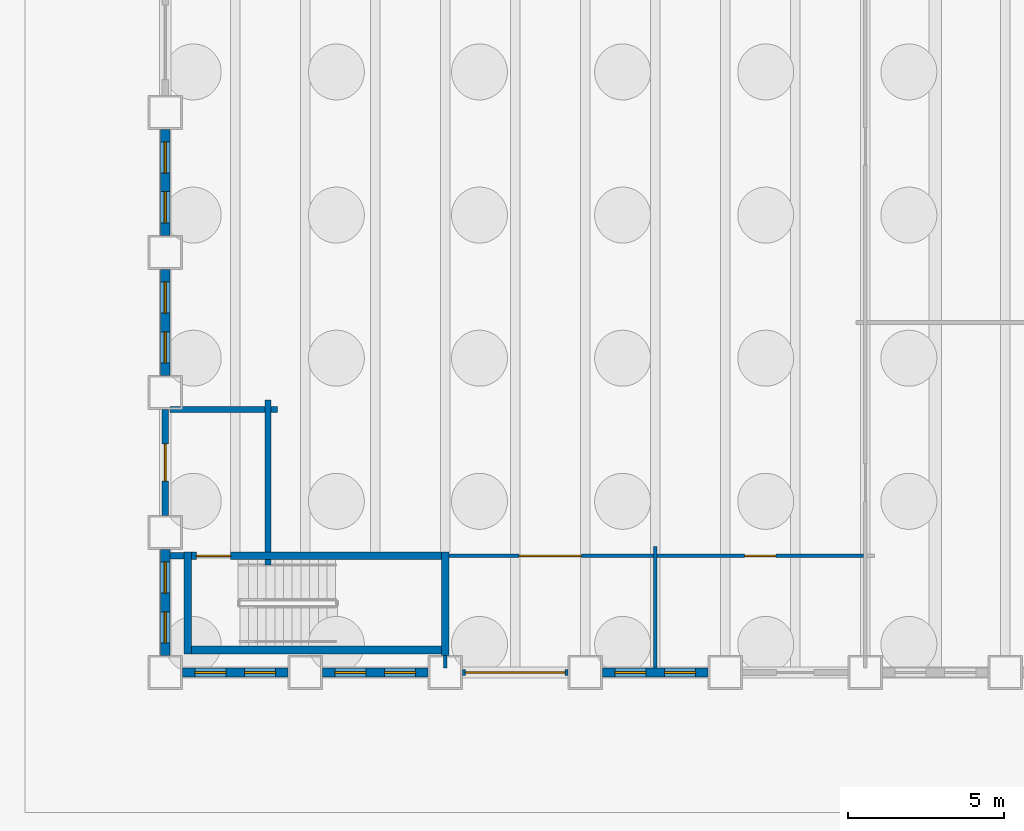
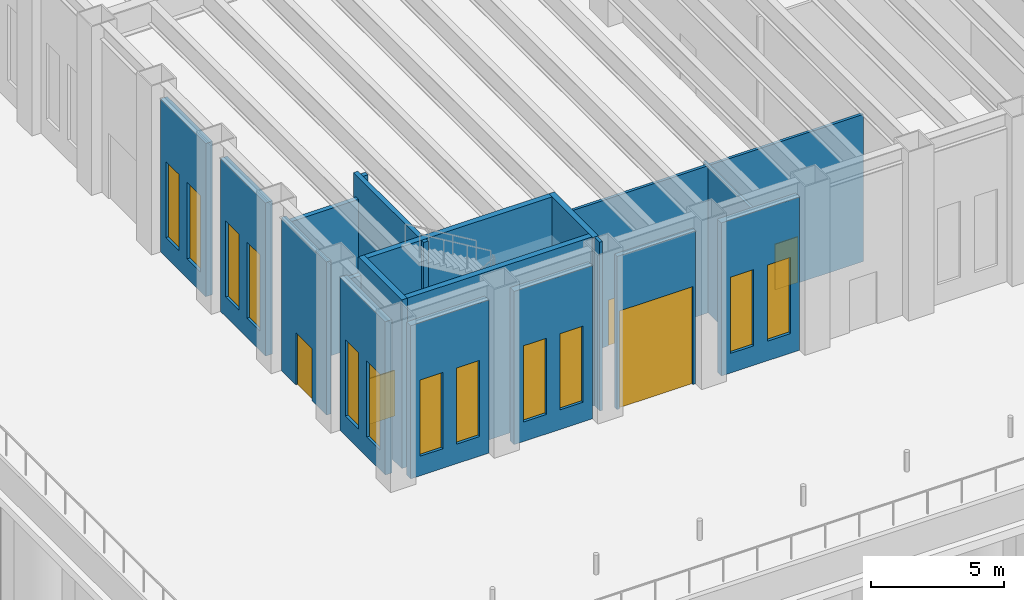
# One storey, part 6 of 26: 21 walls, 12 windows, 5 doors, 17 openings.
"""IFC4 building model written with IfcOpenShell, lengths in metres."""

import ifcopenshell
import ifcopenshell.guid

model = None  # the IFC model being written
_history = None  # IfcOwnerHistory: only IFC2X3 demands one
_inside = {}  # id of a spatial element -> (the spatial element, [elements in it])
_under = {}  # id of a project, library or spatial element -> (it, [spatial elements below it])
_declared = {}  # id of a project -> (the project, [libraries it declares])
_typed = {}  # id of a type object -> (the type object, [elements of that type])
_made_of = {}  # id of a material, layer set ... -> (it, [elements and type objects made of it])


def new_model(schema):
    """Start an empty IFC model of exactly this schema.

    Asked for "IFC4X3", IfcOpenShell would pick the latest addendum, in which some entities
    have other attributes; the version numbers below select the first issue.
    IFC2X3 requires an IfcOwnerHistory on every rooted entity: one is made here for all.
    """
    global model, _history
    if schema == "IFC4X3":
        model = ifcopenshell.file(schema_version=(4, 3, 0, 0))
    else:
        model = ifcopenshell.file(schema=schema)
    _inside.clear()
    _under.clear()
    _declared.clear()
    _typed.clear()
    _made_of.clear()
    _history = None
    if model.schema == "IFC2X3":
        org = make("IfcOrganization", Name="unknown")
        user = make(
            "IfcPersonAndOrganization",
            ThePerson=make("IfcPerson", FamilyName="unknown"),
            TheOrganization=org,
        )
        app = make(
            "IfcApplication",
            ApplicationDeveloper=org,
            Version="unknown",
            ApplicationFullName="unknown",
            ApplicationIdentifier="unknown",
        )
        _history = make(
            "IfcOwnerHistory",
            OwningUser=user,
            OwningApplication=app,
            ChangeAction="ADDED",
            CreationDate=0,
        )
    return model


def make(cls, **values):
    """One entity of the class cls with the attributes given. An attribute that is None is left unset."""
    return model.create_entity(
        cls, **{name: value for name, value in values.items() if value is not None}
    )


def rooted(cls, **values):
    """An entity with a GlobalId (a new one), such as an element, a storey or a relation."""
    return make(cls, GlobalId=ifcopenshell.guid.new(), OwnerHistory=_history, **values)


def si_unit(unit_type, name, prefix=None):
    """IfcSIUnit, for example si_unit("LENGTHUNIT", "METRE", prefix="MILLI")."""
    return make("IfcSIUnit", UnitType=unit_type, Prefix=prefix, Name=name)


def assignment(units):
    """IfcUnitAssignment: the units of a project."""
    return None if units is None else make("IfcUnitAssignment", Units=units)


def point(xyz):
    """IfcCartesianPoint."""
    return None if xyz is None else make("IfcCartesianPoint", Coordinates=xyz)


def direction(xyz):
    """IfcDirection."""
    return None if xyz is None else make("IfcDirection", DirectionRatios=xyz)


def frame(location, z_axis=None, x_axis=None):
    """IfcAxis2Placement3D, a coordinate frame: its origin and axes. An axis left out is left unset."""
    return make(
        "IfcAxis2Placement3D",
        Location=point(location),
        Axis=direction(z_axis),
        RefDirection=direction(x_axis),
    )


def frame_2d(location, x_axis=None):
    """IfcAxis2Placement2D, a coordinate frame in the plane: its origin and x axis."""
    return make(
        "IfcAxis2Placement2D", Location=point(location), RefDirection=direction(x_axis)
    )


def origin():
    """The frame at (0, 0, 0) with its axes left unset."""
    return frame((0.0, 0.0, 0.0))


def place(relative_to, where):
    """IfcLocalPlacement: puts the frame where relative to a parent placement (None: the world)."""
    return make(
        "IfcLocalPlacement", PlacementRelTo=relative_to, RelativePlacement=where
    )


def context(
    kind, dimensions, precision=None, world=None, true_north=None, identifier=None
):
    """IfcGeometricRepresentationContext, for example the 3D "Model" context."""
    return make(
        "IfcGeometricRepresentationContext",
        ContextIdentifier=identifier,
        ContextType=kind,
        CoordinateSpaceDimension=dimensions,
        Precision=precision,
        WorldCoordinateSystem=world,
        TrueNorth=true_north,
    )


def subcontext(parent, identifier, kind, view, scale=None):
    """IfcGeometricRepresentationSubContext, for example "Body" below "Model"."""
    return make(
        "IfcGeometricRepresentationSubContext",
        ContextIdentifier=identifier,
        ContextType=kind,
        ParentContext=parent,
        TargetScale=scale,
        TargetView=view,
    )


def project(units=None, contexts=None):
    """IfcProject with its units and contexts."""
    return rooted(
        "IfcProject",
        Name="project",
        RepresentationContexts=contexts,
        UnitsInContext=assignment(units),
    )


def spatial(cls, under=None, at=None, **own):
    """A site, building, storey or space (cls), placed at a placement, below another one or the project."""
    s = rooted(cls, ObjectPlacement=at, **own)
    if under is not None:
        _under.setdefault(under.id(), (under, []))[1].append(s)
    return s


def profile(cls, at=None, kind="AREA", **sizes):
    """A parametric profile (cls). Its sizes go by their IFC names, for example OverallWidth=200.0."""
    return make(cls, ProfileType=kind, Position=at, **sizes)


def rectangle(**sizes):
    """IfcRectangleProfileDef."""
    return profile("IfcRectangleProfileDef", **sizes)


def extrude(swept, where, along, depth):
    """IfcExtrudedAreaSolid: the profile swept, set in the frame where, extruded along a direction by depth."""
    return make(
        "IfcExtrudedAreaSolid",
        SweptArea=swept,
        Position=where,
        ExtrudedDirection=direction(along),
        Depth=depth,
    )


def shape(context_of_items, identifier, shape_type, items):
    """IfcShapeRepresentation: the items that make up one representation, for example the "Body"."""
    return make(
        "IfcShapeRepresentation",
        ContextOfItems=context_of_items,
        RepresentationIdentifier=identifier,
        RepresentationType=shape_type,
        Items=items,
    )


def material(Name=None, Category=None):
    """IfcMaterial."""
    return make("IfcMaterial", Name=Name, Category=Category)


def layer(
    of_material, thickness, ventilated=None, Name=None, Category=None, Priority=None
):
    """IfcMaterialLayer: one layer of a wall or slab, of a material (None: an air gap)."""
    return make(
        "IfcMaterialLayer",
        Material=of_material,
        LayerThickness=thickness,
        IsVentilated=ventilated,
        Name=Name,
        Category=Category,
        Priority=Priority,
    )


def layer_set(layers, Name=None):
    """IfcMaterialLayerSet."""
    return make("IfcMaterialLayerSet", MaterialLayers=layers, LayerSetName=Name)


def made_of(thing, what):
    """Note that an element or type object is made of a material, layer set ...; save() writes the relation."""
    if what is not None:
        _made_of.setdefault(what.id(), (what, []))[1].append(thing)
    return thing


def type_object(cls, material=None, **own):
    """A type object (cls), such as IfcWallType, which elements share."""
    return made_of(rooted(cls, **own), material)


def element(
    cls,
    number,
    at=None,
    inside=None,
    cuts=None,
    type_object=None,
    material=None,
    context=None,
    identifier="Body",
    shape_type=None,
    held_by="IfcProductDefinitionShape",
    body=None,
    shapes=None,
    **own,
):
    """One element of the class cls, such as IfcWall. Its Tag is "e" and its number.

    at: its placement. inside: the storey or other place that contains it. cuts: it is an
    opening in that element (IfcRelVoidsElement). A single representation is given by context,
    identifier, shape_type and body (its items); several are given by shapes. held_by: the class
    of the entity that holds the representations. save() writes the other relations.
    """
    e = rooted(cls, Tag="e%d" % number, ObjectPlacement=at, **own)
    if body is not None:
        shapes = [shape(context, identifier, shape_type, body)]
    if shapes is not None:
        e.Representation = make(held_by, Representations=shapes)
    if inside is not None:
        _inside.setdefault(inside.id(), (inside, []))[1].append(e)
    if cuts is not None:
        rooted(
            "IfcRelVoidsElement", RelatingBuildingElement=cuts, RelatedOpeningElement=e
        )
    if type_object is not None:
        _typed.setdefault(type_object.id(), (type_object, []))[1].append(e)
    return made_of(e, material)


def fill(opening, filler):
    """IfcRelFillsElement: the door or window that sits in an opening."""
    return rooted(
        "IfcRelFillsElement",
        RelatingOpeningElement=opening,
        RelatedBuildingElement=filler,
    )


def aggregate(whole, parts):
    """IfcRelAggregates: a whole, such as a stair, and the parts it consists of."""
    return rooted("IfcRelAggregates", RelatingObject=whole, RelatedObjects=parts)


def save(model, path):
    """Write the relations noted so far, then the file.

    IfcRelAggregates (storeys below a building ...), IfcRelContainedInSpatialStructure (elements
    in a storey), IfcRelDefinesByType, IfcRelAssociatesMaterial and IfcRelDeclares: one each for
    every whole, place, type object, material and project.
    """
    for whole, parts in _under.values():
        aggregate(whole, parts)
    for where, things in _inside.values():
        rooted(
            "IfcRelContainedInSpatialStructure",
            RelatedElements=things,
            RelatingStructure=where,
        )
    for kind, things in _typed.values():
        rooted("IfcRelDefinesByType", RelatedObjects=things, RelatingType=kind)
    for what, things in _made_of.values():
        rooted("IfcRelAssociatesMaterial", RelatedObjects=things, RelatingMaterial=what)
    for by, libraries in _declared.values():
        rooted("IfcRelDeclares", RelatingContext=by, RelatedDefinitions=libraries)
    model.write(path)


model = new_model("IFC4")

# Units and contexts
model_context = context("Model", 3, precision=1e-05, world=origin(), true_north=direction((0.0, 1.0)))
body_context = subcontext(model_context, "Body", "Model", "MODEL_VIEW")
ifc_project = project(units=[si_unit("LENGTHUNIT", "METRE"), si_unit("AREAUNIT", "SQUARE_METRE"), si_unit("VOLUMEUNIT", "CUBIC_METRE"), si_unit("PLANEANGLEUNIT", "RADIAN"), si_unit("MASSUNIT", "GRAM", prefix="KILO")], contexts=[model_context])

# Site, building, storey
site_placement = place(None, origin())
site = spatial("IfcSite", under=ifc_project, at=site_placement, CompositionType="ELEMENT")
building_placement = place(site_placement, origin())
building = spatial("IfcBuilding", under=site, at=building_placement, Name="Sennacour Bend Tower", CompositionType="ELEMENT")
storey_placement = place(building_placement, origin())
storey = spatial("IfcBuildingStorey", under=building, at=storey_placement, Name="L00", CompositionType="ELEMENT", Elevation=0.0)

# Wall, opening, door
ifc_material_1 = material(Name="Bronze anodised aluminium panel", Category="aluminium")
ifc_layer_1 = layer(ifc_material_1, 0.030029296875, Name="Bronze anodised aluminium panel", Category="aluminium")
ifc_material_2 = material(Name="Precast concrete C40/50", Category="concrete")
ifc_layer_2 = layer(ifc_material_2, 0.169921875, Name="Precast concrete C40/50", Category="concrete")
ifc_layer_set_1 = layer_set([ifc_layer_1, ifc_layer_2], Name="Precast concrete C40/50 with bronze aluminium panel")
wall_type_1 = type_object("IfcWallType", Name="ALUMINIUM-CLAD INFILL WALL 200", PredefinedType="STANDARD", material=ifc_layer_set_1)
wall_1_placement = place(storey_placement, frame((0.0, 5.050048828125, 0.0), z_axis=(0.0, 0.0, 1.0), x_axis=(0.0, 1.0, 0.0)))
wall_1 = element("IfcWall", 1, at=wall_1_placement, inside=storey, type_object=wall_type_1, Name="Infill wall L00 02.06", PredefinedType="STANDARD", context=body_context, shape_type="SweptSolid", body=[
    extrude(rectangle(XDim=3.39990234375, YDim=0.199951171875, at=frame_2d((1.699951171875, 0.0))), origin(), (0.0, 0.0, 1.0), 7.035888671875),
])
opening_1_placement = place(wall_1_placement, frame((1.10009765625, 0.0, 0.0)))
opening_1 = element("IfcOpeningElement", 2, at=opening_1_placement, cuts=wall_1, Name="Opening ED2", PredefinedType="OPENING", context=body_context, shape_type="SweptSolid", body=[
    extrude(rectangle(XDim=1.199951171875, YDim=2.39990234375, at=frame_2d((0.60009765625, 1.199951171875))), frame((0.0, 0.10986328125, 0.0), z_axis=(0.0, -1.0, 0.0), x_axis=(1.0, 0.0, 0.0)), (0.0, 0.0, 1.0), 0.219970703125),
])
ifc_material_3 = material(Name="Steel door leaf", Category="steel")
door_type_1 = type_object("IfcDoorType", Name="DR-SERVICE-1200x2400", OperationType="SINGLE_SWING_RIGHT", PredefinedType="DOOR", material=ifc_material_3)
door_1_placement = place(opening_1_placement, origin())
door_1 = element("IfcDoor", 3, at=door_1_placement, inside=storey, type_object=door_type_1, Name="Exterior door L00 02.06", OperationType="SINGLE_SWING_RIGHT", OverallHeight=2.39990234375, OverallWidth=1.199951171875, PredefinedType="DOOR", context=body_context, shape_type="SweptSolid", body=[
    extrude(rectangle(XDim=1.199951171875, YDim=2.39990234375, at=frame_2d((0.60009765625, 1.199951171875))), frame((0.0, 0.02490234375, 0.0), z_axis=(0.0, -1.0, 0.0), x_axis=(1.0, 0.0, 0.0)), (0.0, 0.0, 1.0), 0.050048828125),
])
fill(opening_1, door_1)

wall_2_placement = place(storey_placement, frame((12.949951171875, 0.0, 0.0), z_axis=(0.0, 0.0, 1.0), x_axis=(-1.0, 0.0, 0.0)))
wall_2 = element("IfcWall", 4, at=wall_2_placement, inside=storey, type_object=wall_type_1, Name="Infill wall L00 03.02", PredefinedType="STANDARD", context=body_context, shape_type="SweptSolid", body=[
    extrude(rectangle(XDim=3.39990234375, YDim=0.199951171875, at=frame_2d((1.699951171875, 0.0))), origin(), (0.0, 0.0, 1.0), 7.035888671875),
])
opening_2_placement = place(wall_2_placement, frame((0.10009765625, 0.0, 0.0)))
opening_2 = element("IfcOpeningElement", 5, at=opening_2_placement, cuts=wall_2, Name="Opening ED3", PredefinedType="OPENING", context=body_context, shape_type="SweptSolid", body=[
    extrude(rectangle(XDim=3.199951171875, YDim=4.5, at=frame_2d((1.60009765625, 2.25))), frame((0.0, 0.10986328125, 0.0), z_axis=(0.0, -1.0, 0.0), x_axis=(1.0, 0.0, 0.0)), (0.0, 0.0, 1.0), 0.219970703125),
])
ifc_material_4 = material(Name="Roller shutter in bronze anodised aluminium", Category="aluminium")
door_type_2 = type_object("IfcDoorType", Name="DR-LOADING-3200x4500", OperationType="ROLLINGUP", PredefinedType="GATE", material=ifc_material_4)
door_2_placement = place(opening_2_placement, origin())
door_2 = element("IfcDoor", 6, at=door_2_placement, inside=storey, type_object=door_type_2, Name="Exterior door L00 03.02", OperationType="ROLLINGUP", OverallHeight=4.5, OverallWidth=3.199951171875, PredefinedType="GATE", context=body_context, shape_type="SweptSolid", body=[
    extrude(rectangle(XDim=3.199951171875, YDim=4.5, at=frame_2d((1.60009765625, 2.25))), frame((0.0, 0.02490234375, 0.0), z_axis=(0.0, -1.0, 0.0), x_axis=(1.0, 0.0, 0.0)), (0.0, 0.0, 1.0), 0.050048828125),
])
fill(opening_2, door_2)

# Walls
ifc_material_5 = material(Name="Plasterboard partition on steel studs", Category="steel")
ifc_layer_3 = layer(ifc_material_5, 0.1201171875, Name="Plasterboard partition on steel studs", Category="steel")
ifc_layer_set_2 = layer_set([ifc_layer_3], Name="Plasterboard partition on steel studs")
wall_type_2 = type_object("IfcWallType", Name="Partition 120", PredefinedType="PARTITIONING", material=ifc_layer_set_2)
wall_3_placement = place(storey_placement, frame((9.0, 0.14990234375, 0.0), z_axis=(0.0, 0.0, 1.0), x_axis=(0.0, 1.0, 0.0)))
element("IfcWall", 7, at=wall_3_placement, inside=storey, type_object=wall_type_2, Name="P-L00-W009a", PredefinedType="PARTITIONING", context=body_context, shape_type="SweptSolid", body=[
    extrude(rectangle(XDim=0.400146484375, YDim=0.1201171875, at=frame_2d((0.2001953125, 0.0))), origin(), (0.0, 0.0, 1.0), 7.75),
])
wall_4_placement = place(storey_placement, frame((15.75, 0.14990234375, 0.0), z_axis=(0.0, 0.0, 1.0), x_axis=(0.0, 1.0, 0.0)))
element("IfcWall", 8, at=wall_4_placement, inside=storey, type_object=wall_type_2, Name="P-L00-W016a", PredefinedType="PARTITIONING", context=body_context, shape_type="SweptSolid", body=[
    extrude(rectangle(XDim=3.900146484375, YDim=0.1201171875, at=frame_2d((1.9501953125, 0.0))), origin(), (0.0, 0.0, 1.0), 6.7587890625),
])

# Wall, opening, door
ifc_layer_4 = layer(ifc_material_5, 0.1201171875, Name="Plasterboard partition on steel studs", Category="steel")
ifc_layer_set_3 = layer_set([ifc_layer_4], Name="Plasterboard partition on steel studs")
wall_type_3 = type_object("IfcWallType", Name="Partition 120 EI 60", PredefinedType="PARTITIONING", material=ifc_layer_set_3)
wall_5_placement = place(storey_placement, frame((9.125, 3.75, 0.0), z_axis=(0.0, 0.0, 1.0), x_axis=(1.0, 0.0, 0.0)))
wall_5 = element("IfcWall", 9, at=wall_5_placement, inside=storey, type_object=wall_type_3, Name="P-L00-W051aa", PredefinedType="PARTITIONING", context=body_context, shape_type="SweptSolid", body=[
    extrude(rectangle(XDim=6.56494140625, YDim=0.1201171875, at=frame_2d((3.282470703125, 0.0))), origin(), (0.0, 0.0, 1.0), 6.7587890625),
])
opening_3_placement = place(wall_5_placement, frame((2.25, 0.0, 0.0)))
opening_3 = element("IfcOpeningElement", 10, at=opening_3_placement, cuts=wall_5, Name="Opening SV3", PredefinedType="OPENING", context=body_context, shape_type="SweptSolid", body=[
    extrude(rectangle(XDim=2.0, YDim=2.10009765625, at=frame_2d((1.0, 1.050048828125))), frame((0.0, 0.070068359375, 0.0), z_axis=(0.0, -1.0, 0.0), x_axis=(1.0, 0.0, 0.0)), (0.0, 0.0, 1.0), 0.14013671875),
])
ifc_material_6 = material(Name="Painted steel", Category="steel")
door_type_3 = type_object("IfcDoorType", Name="DR-SERVICE-2000", OperationType="NOTDEFINED", PredefinedType="DOOR", material=ifc_material_6)
door_3_placement = place(opening_3_placement, origin())
door_3 = element("IfcDoor", 11, at=door_3_placement, inside=storey, type_object=door_type_3, Name="Door", OperationType="DOUBLE_DOOR_SINGLE_SWING", OverallHeight=2.10009765625, OverallWidth=2.0, PredefinedType="DOOR", context=body_context, shape_type="SweptSolid", body=[
    extrude(rectangle(XDim=2.0, YDim=2.10009765625, at=frame_2d((1.0, 1.050048828125))), frame((0.0, 0.02490234375, 0.0), z_axis=(0.0, -1.0, 0.0), x_axis=(1.0, 0.0, 0.0)), (0.0, 0.0, 1.0), 0.050048828125),
])
fill(opening_3, door_3)

wall_6_placement = place(storey_placement, frame((15.81005859375, 3.75, 0.0), z_axis=(0.0, 0.0, 1.0), x_axis=(1.0, 0.0, 0.0)))
wall_6 = element("IfcWall", 12, at=wall_6_placement, inside=storey, type_object=wall_type_3, Name="P-L00-W051ab", PredefinedType="PARTITIONING", context=body_context, shape_type="SweptSolid", body=[
    extrude(rectangle(XDim=6.6298828125, YDim=0.1201171875, at=frame_2d((3.31494140625, 0.0))), origin(), (0.0, 0.0, 1.0), 6.7587890625),
])
opening_4_placement = place(wall_6_placement, frame((2.81494140625, 0.0, 0.0)))
opening_4 = element("IfcOpeningElement", 13, at=opening_4_placement, cuts=wall_6, Name="Opening SV2", PredefinedType="OPENING", context=body_context, shape_type="SweptSolid", body=[
    extrude(rectangle(XDim=1.0, YDim=2.10009765625, at=frame_2d((0.5, 1.050048828125))), frame((0.0, 0.070068359375, 0.0), z_axis=(0.0, -1.0, 0.0), x_axis=(1.0, 0.0, 0.0)), (0.0, 0.0, 1.0), 0.14013671875),
])
door_type_4 = type_object("IfcDoorType", Name="DR-SERVICE-1000", OperationType="NOTDEFINED", PredefinedType="DOOR", material=ifc_material_6)
door_4_placement = place(opening_4_placement, origin())
door_4 = element("IfcDoor", 14, at=door_4_placement, inside=storey, type_object=door_type_4, Name="Door", OperationType="SINGLE_SWING_LEFT", OverallHeight=2.10009765625, OverallWidth=1.0, PredefinedType="DOOR", context=body_context, shape_type="SweptSolid", body=[
    extrude(rectangle(XDim=1.0, YDim=2.10009765625, at=frame_2d((0.5, 1.050048828125))), frame((0.0, 0.02490234375, 0.0), z_axis=(0.0, -1.0, 0.0), x_axis=(1.0, 0.0, 0.0)), (0.0, 0.0, 1.0), 0.050048828125),
])
fill(opening_4, door_4)

# Walls
ifc_material_7 = material(Name="Fire-rated plasterboard partition on steel studs", Category="steel")
ifc_layer_5 = layer(ifc_material_7, 0.199951171875, Name="Fire-rated plasterboard partition on steel studs", Category="steel")
ifc_layer_set_4 = layer_set([ifc_layer_5], Name="Fire-rated plasterboard partition on steel studs")
wall_type_4 = type_object("IfcWallType", Name="Rated partition 200", PredefinedType="PARTITIONING", material=ifc_layer_set_4)
wall_7_placement = place(storey_placement, frame((3.300048828125, 3.449951171875, 0.0), z_axis=(0.0, 0.0, 1.0), x_axis=(0.0, 1.0, 0.0)))
element("IfcWall", 15, at=wall_7_placement, inside=storey, type_object=wall_type_4, Name="P-L00-W005aa", PredefinedType="PARTITIONING", context=body_context, shape_type="SweptSolid", body=[
    extrude(rectangle(XDim=0.175048828125, YDim=0.199951171875, at=frame_2d((0.08740234375, 0.0))), origin(), (0.0, 0.0, 1.0), 7.75),
])
wall_8_placement = place(storey_placement, frame((3.300048828125, 3.875, 0.0), z_axis=(0.0, 0.0, 1.0), x_axis=(0.0, 1.0, 0.0)))
element("IfcWall", 16, at=wall_8_placement, inside=storey, type_object=wall_type_4, Name="P-L00-W005ab", PredefinedType="PARTITIONING", context=body_context, shape_type="SweptSolid", body=[
    extrude(rectangle(XDim=4.875, YDim=0.199951171875, at=frame_2d((2.4375, 0.0))), origin(), (0.0, 0.0, 1.0), 7.75),
])
wall_9_placement = place(storey_placement, frame((0.14990234375, 3.75, 0.0), z_axis=(0.0, 0.0, 1.0), x_axis=(1.0, 0.0, 0.0)))
element("IfcWall", 17, at=wall_9_placement, inside=storey, type_object=wall_type_4, Name="P-L00-W049a", PredefinedType="PARTITIONING", context=body_context, shape_type="SweptSolid", body=[
    extrude(rectangle(XDim=0.4501953125, YDim=0.199951171875, at=frame_2d((0.22509765625, 0.0))), origin(), (0.0, 0.0, 1.0), 7.0361328125),
])
wall_10_placement = place(storey_placement, frame((0.14990234375, 8.449951171875, 0.0), z_axis=(0.0, 0.0, 1.0), x_axis=(1.0, 0.0, 0.0)))
element("IfcWall", 18, at=wall_10_placement, inside=storey, type_object=wall_type_4, Name="P-L00-W057aa", PredefinedType="PARTITIONING", context=body_context, shape_type="SweptSolid", body=[
    extrude(rectangle(XDim=3.050048828125, YDim=0.199951171875, at=frame_2d((1.52490234375, 0.0))), origin(), (0.0, 0.0, 1.0), 6.7587890625),
])
wall_11_placement = place(storey_placement, frame((3.39990234375, 8.449951171875, 0.0), z_axis=(0.0, 0.0, 1.0), x_axis=(1.0, 0.0, 0.0)))
element("IfcWall", 19, at=wall_11_placement, inside=storey, type_object=wall_type_4, Name="P-L00-W057ab", PredefinedType="PARTITIONING", context=body_context, shape_type="SweptSolid", body=[
    extrude(rectangle(XDim=0.2001953125, YDim=0.199951171875, at=frame_2d((0.10009765625, 0.0))), origin(), (0.0, 0.0, 1.0), 7.75),
])

# Wall, openings, windows
ifc_material_8 = material(Name="Warm limestone cladding", Category="masonry")
ifc_layer_6 = layer(ifc_material_8, 0.050048828125, Name="Warm limestone cladding", Category="masonry")
ifc_layer_7 = layer(ifc_material_2, 0.25, Name="Precast concrete C40/50", Category="concrete")
ifc_layer_set_5 = layer_set([ifc_layer_6, ifc_layer_7], Name="Precast concrete C40/50 with limestone cladding")
wall_type_5 = type_object("IfcWallType", Name="STONE-CLAD PRECAST SPANDREL 300", PredefinedType="STANDARD", material=ifc_layer_set_5)
wall_12_placement = place(storey_placement, frame((0.0, 17.449951171875, 0.0), z_axis=(0.0, 0.0, 1.0), x_axis=(0.0, -1.0, 0.0)))
wall_12 = element("IfcWall", 20, at=wall_12_placement, inside=storey, type_object=wall_type_5, Name="Stone spandrel and pier wall L00 02.04", PredefinedType="STANDARD", context=body_context, shape_type="SweptSolid", body=[
    extrude(rectangle(XDim=3.39990234375, YDim=0.300048828125, at=frame_2d((1.699951171875, 0.0))), origin(), (0.0, 0.0, 1.0), 7.035888671875),
])
opening_5_placement = place(wall_12_placement, frame((0.39990234375, 0.0, 0.89990234375)))
opening_5 = element("IfcOpeningElement", 21, at=opening_5_placement, cuts=wall_12, Name="Opening W1", PredefinedType="OPENING", context=body_context, shape_type="SweptSolid", body=[
    extrude(rectangle(XDim=1.0, YDim=3.5, at=frame_2d((0.5, 1.75))), frame((0.0, 0.16015625, 0.0), z_axis=(0.0, -1.0, 0.0), x_axis=(1.0, 0.0, 0.0)), (0.0, 0.0, 1.0), 0.320068359375),
])
opening_6_placement = place(wall_12_placement, frame((2.0, 0.0, 0.89990234375)))
opening_6 = element("IfcOpeningElement", 22, at=opening_6_placement, cuts=wall_12, Name="Opening W1", PredefinedType="OPENING", context=body_context, shape_type="SweptSolid", body=[
    extrude(rectangle(XDim=1.0, YDim=3.5, at=frame_2d((0.5, 1.75))), frame((0.0, 0.16015625, 0.0), z_axis=(0.0, -1.0, 0.0), x_axis=(1.0, 0.0, 0.0)), (0.0, 0.0, 1.0), 0.320068359375),
])
ifc_material_9 = material(Name="Clear low-emissivity glass", Category="glass")
window_type = type_object("IfcWindowType", Name="WIN-RIBBON-1000x3500", PartitioningType="SINGLE_PANEL", PredefinedType="WINDOW", material=ifc_material_9)
window_1_placement = place(opening_5_placement, origin())
window_1 = element("IfcWindow", 23, at=window_1_placement, inside=storey, type_object=window_type, Name="Ribbon window L00 02.04.0", OverallHeight=3.5, OverallWidth=1.0, PartitioningType="SINGLE_PANEL", PredefinedType="WINDOW", context=body_context, shape_type="SweptSolid", body=[
    extrude(rectangle(XDim=1.0, YDim=3.5, at=frame_2d((0.5, 1.75))), frame((0.0, 0.030029296875, 0.0), z_axis=(0.0, -1.0, 0.0), x_axis=(1.0, 0.0, 0.0)), (0.0, 0.0, 1.0), 0.06005859375),
])
fill(opening_5, window_1)
window_2_placement = place(opening_6_placement, origin())
window_2 = element("IfcWindow", 24, at=window_2_placement, inside=storey, type_object=window_type, Name="Ribbon window L00 02.04.1", OverallHeight=3.5, OverallWidth=1.0, PartitioningType="SINGLE_PANEL", PredefinedType="WINDOW", context=body_context, shape_type="SweptSolid", body=[
    extrude(rectangle(XDim=1.0, YDim=3.5, at=frame_2d((0.5, 1.75))), frame((0.0, 0.030029296875, 0.0), z_axis=(0.0, -1.0, 0.0), x_axis=(1.0, 0.0, 0.0)), (0.0, 0.0, 1.0), 0.06005859375),
])
fill(opening_6, window_2)

wall_13_placement = place(storey_placement, frame((0.0, 12.949951171875, 0.0), z_axis=(0.0, 0.0, 1.0), x_axis=(0.0, -1.0, 0.0)))
wall_13 = element("IfcWall", 25, at=wall_13_placement, inside=storey, type_object=wall_type_5, Name="Stone spandrel and pier wall L00 02.05", PredefinedType="STANDARD", context=body_context, shape_type="SweptSolid", body=[
    extrude(rectangle(XDim=3.39990234375, YDim=0.300048828125, at=frame_2d((1.699951171875, 0.0))), origin(), (0.0, 0.0, 1.0), 7.035888671875),
])
opening_7_placement = place(wall_13_placement, frame((0.39990234375, 0.0, 0.89990234375)))
opening_7 = element("IfcOpeningElement", 26, at=opening_7_placement, cuts=wall_13, Name="Opening W1", PredefinedType="OPENING", context=body_context, shape_type="SweptSolid", body=[
    extrude(rectangle(XDim=1.0, YDim=3.5, at=frame_2d((0.5, 1.75))), frame((0.0, 0.16015625, 0.0), z_axis=(0.0, -1.0, 0.0), x_axis=(1.0, 0.0, 0.0)), (0.0, 0.0, 1.0), 0.320068359375),
])
opening_8_placement = place(wall_13_placement, frame((2.0, 0.0, 0.89990234375)))
opening_8 = element("IfcOpeningElement", 27, at=opening_8_placement, cuts=wall_13, Name="Opening W1", PredefinedType="OPENING", context=body_context, shape_type="SweptSolid", body=[
    extrude(rectangle(XDim=1.0, YDim=3.5, at=frame_2d((0.5, 1.75))), frame((0.0, 0.16015625, 0.0), z_axis=(0.0, -1.0, 0.0), x_axis=(1.0, 0.0, 0.0)), (0.0, 0.0, 1.0), 0.320068359375),
])
window_3_placement = place(opening_7_placement, origin())
window_3 = element("IfcWindow", 28, at=window_3_placement, inside=storey, type_object=window_type, Name="Ribbon window L00 02.05.0", OverallHeight=3.5, OverallWidth=1.0, PartitioningType="SINGLE_PANEL", PredefinedType="WINDOW", context=body_context, shape_type="SweptSolid", body=[
    extrude(rectangle(XDim=1.0, YDim=3.5, at=frame_2d((0.5, 1.75))), frame((0.0, 0.030029296875, 0.0), z_axis=(0.0, -1.0, 0.0), x_axis=(1.0, 0.0, 0.0)), (0.0, 0.0, 1.0), 0.06005859375),
])
fill(opening_7, window_3)
window_4_placement = place(opening_8_placement, origin())
window_4 = element("IfcWindow", 29, at=window_4_placement, inside=storey, type_object=window_type, Name="Ribbon window L00 02.05.1", OverallHeight=3.5, OverallWidth=1.0, PartitioningType="SINGLE_PANEL", PredefinedType="WINDOW", context=body_context, shape_type="SweptSolid", body=[
    extrude(rectangle(XDim=1.0, YDim=3.5, at=frame_2d((0.5, 1.75))), frame((0.0, 0.030029296875, 0.0), z_axis=(0.0, -1.0, 0.0), x_axis=(1.0, 0.0, 0.0)), (0.0, 0.0, 1.0), 0.06005859375),
])
fill(opening_8, window_4)

wall_14_placement = place(storey_placement, frame((0.0, 3.949951171875, 0.0), z_axis=(0.0, 0.0, 1.0), x_axis=(0.0, -1.0, 0.0)))
wall_14 = element("IfcWall", 30, at=wall_14_placement, inside=storey, type_object=wall_type_5, Name="Stone spandrel and pier wall L00 02.07", PredefinedType="STANDARD", context=body_context, shape_type="SweptSolid", body=[
    extrude(rectangle(XDim=3.39990234375, YDim=0.300048828125, at=frame_2d((1.699951171875, 0.0))), origin(), (0.0, 0.0, 1.0), 7.035888671875),
])
opening_9_placement = place(wall_14_placement, frame((0.39990234375, 0.0, 0.89990234375)))
opening_9 = element("IfcOpeningElement", 31, at=opening_9_placement, cuts=wall_14, Name="Opening W1", PredefinedType="OPENING", context=body_context, shape_type="SweptSolid", body=[
    extrude(rectangle(XDim=1.0, YDim=3.5, at=frame_2d((0.5, 1.75))), frame((0.0, 0.16015625, 0.0), z_axis=(0.0, -1.0, 0.0), x_axis=(1.0, 0.0, 0.0)), (0.0, 0.0, 1.0), 0.320068359375),
])
opening_10_placement = place(wall_14_placement, frame((2.0, 0.0, 0.89990234375)))
opening_10 = element("IfcOpeningElement", 32, at=opening_10_placement, cuts=wall_14, Name="Opening W1", PredefinedType="OPENING", context=body_context, shape_type="SweptSolid", body=[
    extrude(rectangle(XDim=1.0, YDim=3.5, at=frame_2d((0.5, 1.75))), frame((0.0, 0.16015625, 0.0), z_axis=(0.0, -1.0, 0.0), x_axis=(1.0, 0.0, 0.0)), (0.0, 0.0, 1.0), 0.320068359375),
])
window_5_placement = place(opening_9_placement, origin())
window_5 = element("IfcWindow", 33, at=window_5_placement, inside=storey, type_object=window_type, Name="Ribbon window L00 02.07.0", OverallHeight=3.5, OverallWidth=1.0, PartitioningType="SINGLE_PANEL", PredefinedType="WINDOW", context=body_context, shape_type="SweptSolid", body=[
    extrude(rectangle(XDim=1.0, YDim=3.5, at=frame_2d((0.5, 1.75))), frame((0.0, 0.030029296875, 0.0), z_axis=(0.0, -1.0, 0.0), x_axis=(1.0, 0.0, 0.0)), (0.0, 0.0, 1.0), 0.06005859375),
])
fill(opening_9, window_5)
window_6_placement = place(opening_10_placement, origin())
window_6 = element("IfcWindow", 34, at=window_6_placement, inside=storey, type_object=window_type, Name="Ribbon window L00 02.07.1", OverallHeight=3.5, OverallWidth=1.0, PartitioningType="SINGLE_PANEL", PredefinedType="WINDOW", context=body_context, shape_type="SweptSolid", body=[
    extrude(rectangle(XDim=1.0, YDim=3.5, at=frame_2d((0.5, 1.75))), frame((0.0, 0.030029296875, 0.0), z_axis=(0.0, -1.0, 0.0), x_axis=(1.0, 0.0, 0.0)), (0.0, 0.0, 1.0), 0.06005859375),
])
fill(opening_10, window_6)

wall_15_placement = place(storey_placement, frame((0.550048828125, 0.0, 0.0), z_axis=(0.0, 0.0, 1.0), x_axis=(1.0, 0.0, 0.0)))
wall_15 = element("IfcWall", 35, at=wall_15_placement, inside=storey, type_object=wall_type_5, Name="Stone spandrel and pier wall L00 03.00", PredefinedType="STANDARD", context=body_context, shape_type="SweptSolid", body=[
    extrude(rectangle(XDim=3.39990234375, YDim=0.300048828125, at=frame_2d((1.699951171875, 0.0))), origin(), (0.0, 0.0, 1.0), 7.035888671875),
])
opening_11_placement = place(wall_15_placement, frame((0.39990234375, 0.0, 0.89990234375)))
opening_11 = element("IfcOpeningElement", 36, at=opening_11_placement, cuts=wall_15, Name="Opening W1", PredefinedType="OPENING", context=body_context, shape_type="SweptSolid", body=[
    extrude(rectangle(XDim=1.0, YDim=3.5, at=frame_2d((0.5, 1.75))), frame((0.0, 0.16015625, 0.0), z_axis=(0.0, -1.0, 0.0), x_axis=(1.0, 0.0, 0.0)), (0.0, 0.0, 1.0), 0.320068359375),
])
opening_12_placement = place(wall_15_placement, frame((2.0, 0.0, 0.89990234375)))
opening_12 = element("IfcOpeningElement", 37, at=opening_12_placement, cuts=wall_15, Name="Opening W1", PredefinedType="OPENING", context=body_context, shape_type="SweptSolid", body=[
    extrude(rectangle(XDim=1.0, YDim=3.5, at=frame_2d((0.5, 1.75))), frame((0.0, 0.16015625, 0.0), z_axis=(0.0, -1.0, 0.0), x_axis=(1.0, 0.0, 0.0)), (0.0, 0.0, 1.0), 0.320068359375),
])
window_7_placement = place(opening_11_placement, origin())
window_7 = element("IfcWindow", 38, at=window_7_placement, inside=storey, type_object=window_type, Name="Ribbon window L00 03.00.0", OverallHeight=3.5, OverallWidth=1.0, PartitioningType="SINGLE_PANEL", PredefinedType="WINDOW", context=body_context, shape_type="SweptSolid", body=[
    extrude(rectangle(XDim=1.0, YDim=3.5, at=frame_2d((0.5, 1.75))), frame((0.0, 0.030029296875, 0.0), z_axis=(0.0, -1.0, 0.0), x_axis=(1.0, 0.0, 0.0)), (0.0, 0.0, 1.0), 0.06005859375),
])
fill(opening_11, window_7)
window_8_placement = place(opening_12_placement, origin())
window_8 = element("IfcWindow", 39, at=window_8_placement, inside=storey, type_object=window_type, Name="Ribbon window L00 03.00.1", OverallHeight=3.5, OverallWidth=1.0, PartitioningType="SINGLE_PANEL", PredefinedType="WINDOW", context=body_context, shape_type="SweptSolid", body=[
    extrude(rectangle(XDim=1.0, YDim=3.5, at=frame_2d((0.5, 1.75))), frame((0.0, 0.030029296875, 0.0), z_axis=(0.0, -1.0, 0.0), x_axis=(1.0, 0.0, 0.0)), (0.0, 0.0, 1.0), 0.06005859375),
])
fill(opening_12, window_8)

wall_16_placement = place(storey_placement, frame((5.050048828125, 0.0, 0.0), z_axis=(0.0, 0.0, 1.0), x_axis=(1.0, 0.0, 0.0)))
wall_16 = element("IfcWall", 40, at=wall_16_placement, inside=storey, type_object=wall_type_5, Name="Stone spandrel and pier wall L00 03.01", PredefinedType="STANDARD", context=body_context, shape_type="SweptSolid", body=[
    extrude(rectangle(XDim=3.39990234375, YDim=0.300048828125, at=frame_2d((1.699951171875, 0.0))), origin(), (0.0, 0.0, 1.0), 7.035888671875),
])
opening_13_placement = place(wall_16_placement, frame((0.39990234375, 0.0, 0.89990234375)))
opening_13 = element("IfcOpeningElement", 41, at=opening_13_placement, cuts=wall_16, Name="Opening W1", PredefinedType="OPENING", context=body_context, shape_type="SweptSolid", body=[
    extrude(rectangle(XDim=1.0, YDim=3.5, at=frame_2d((0.5, 1.75))), frame((0.0, 0.16015625, 0.0), z_axis=(0.0, -1.0, 0.0), x_axis=(1.0, 0.0, 0.0)), (0.0, 0.0, 1.0), 0.320068359375),
])
opening_14_placement = place(wall_16_placement, frame((2.0, 0.0, 0.89990234375)))
opening_14 = element("IfcOpeningElement", 42, at=opening_14_placement, cuts=wall_16, Name="Opening W1", PredefinedType="OPENING", context=body_context, shape_type="SweptSolid", body=[
    extrude(rectangle(XDim=1.0, YDim=3.5, at=frame_2d((0.5, 1.75))), frame((0.0, 0.16015625, 0.0), z_axis=(0.0, -1.0, 0.0), x_axis=(1.0, 0.0, 0.0)), (0.0, 0.0, 1.0), 0.320068359375),
])
window_9_placement = place(opening_13_placement, origin())
window_9 = element("IfcWindow", 43, at=window_9_placement, inside=storey, type_object=window_type, Name="Ribbon window L00 03.01.0", OverallHeight=3.5, OverallWidth=1.0, PartitioningType="SINGLE_PANEL", PredefinedType="WINDOW", context=body_context, shape_type="SweptSolid", body=[
    extrude(rectangle(XDim=1.0, YDim=3.5, at=frame_2d((0.5, 1.75))), frame((0.0, 0.030029296875, 0.0), z_axis=(0.0, -1.0, 0.0), x_axis=(1.0, 0.0, 0.0)), (0.0, 0.0, 1.0), 0.06005859375),
])
fill(opening_13, window_9)
window_10_placement = place(opening_14_placement, origin())
window_10 = element("IfcWindow", 44, at=window_10_placement, inside=storey, type_object=window_type, Name="Ribbon window L00 03.01.1", OverallHeight=3.5, OverallWidth=1.0, PartitioningType="SINGLE_PANEL", PredefinedType="WINDOW", context=body_context, shape_type="SweptSolid", body=[
    extrude(rectangle(XDim=1.0, YDim=3.5, at=frame_2d((0.5, 1.75))), frame((0.0, 0.030029296875, 0.0), z_axis=(0.0, -1.0, 0.0), x_axis=(1.0, 0.0, 0.0)), (0.0, 0.0, 1.0), 0.06005859375),
])
fill(opening_14, window_10)

wall_17_placement = place(storey_placement, frame((14.050048828125, 0.0, 0.0), z_axis=(0.0, 0.0, 1.0), x_axis=(1.0, 0.0, 0.0)))
wall_17 = element("IfcWall", 45, at=wall_17_placement, inside=storey, type_object=wall_type_5, Name="Stone spandrel and pier wall L00 03.03", PredefinedType="STANDARD", context=body_context, shape_type="SweptSolid", body=[
    extrude(rectangle(XDim=3.39990234375, YDim=0.300048828125, at=frame_2d((1.699951171875, 0.0))), origin(), (0.0, 0.0, 1.0), 7.035888671875),
])
opening_15_placement = place(wall_17_placement, frame((0.39990234375, 0.0, 0.89990234375)))
opening_15 = element("IfcOpeningElement", 46, at=opening_15_placement, cuts=wall_17, Name="Opening W1", PredefinedType="OPENING", context=body_context, shape_type="SweptSolid", body=[
    extrude(rectangle(XDim=1.0, YDim=3.5, at=frame_2d((0.5, 1.75))), frame((0.0, 0.16015625, 0.0), z_axis=(0.0, -1.0, 0.0), x_axis=(1.0, 0.0, 0.0)), (0.0, 0.0, 1.0), 0.320068359375),
])
opening_16_placement = place(wall_17_placement, frame((2.0, 0.0, 0.89990234375)))
opening_16 = element("IfcOpeningElement", 47, at=opening_16_placement, cuts=wall_17, Name="Opening W1", PredefinedType="OPENING", context=body_context, shape_type="SweptSolid", body=[
    extrude(rectangle(XDim=1.0, YDim=3.5, at=frame_2d((0.5, 1.75))), frame((0.0, 0.16015625, 0.0), z_axis=(0.0, -1.0, 0.0), x_axis=(1.0, 0.0, 0.0)), (0.0, 0.0, 1.0), 0.320068359375),
])
window_11_placement = place(opening_15_placement, origin())
window_11 = element("IfcWindow", 48, at=window_11_placement, inside=storey, type_object=window_type, Name="Ribbon window L00 03.03.0", OverallHeight=3.5, OverallWidth=1.0, PartitioningType="SINGLE_PANEL", PredefinedType="WINDOW", context=body_context, shape_type="SweptSolid", body=[
    extrude(rectangle(XDim=1.0, YDim=3.5, at=frame_2d((0.5, 1.75))), frame((0.0, 0.030029296875, 0.0), z_axis=(0.0, -1.0, 0.0), x_axis=(1.0, 0.0, 0.0)), (0.0, 0.0, 1.0), 0.06005859375),
])
fill(opening_15, window_11)
window_12_placement = place(opening_16_placement, origin())
window_12 = element("IfcWindow", 49, at=window_12_placement, inside=storey, type_object=window_type, Name="Ribbon window L00 03.03.1", OverallHeight=3.5, OverallWidth=1.0, PartitioningType="SINGLE_PANEL", PredefinedType="WINDOW", context=body_context, shape_type="SweptSolid", body=[
    extrude(rectangle(XDim=1.0, YDim=3.5, at=frame_2d((0.5, 1.75))), frame((0.0, 0.030029296875, 0.0), z_axis=(0.0, -1.0, 0.0), x_axis=(1.0, 0.0, 0.0)), (0.0, 0.0, 1.0), 0.06005859375),
])
fill(opening_16, window_12)

# Walls
ifc_material_10 = material(Name="Concrete C60/75", Category="concrete")
ifc_layer_8 = layer(ifc_material_10, 0.25, Name="Concrete C60/75", Category="concrete")
ifc_layer_set_6 = layer_set([ifc_layer_8], Name="Concrete C60/75")
wall_type_6 = type_object("IfcWallType", Name="Stair wall 250", PredefinedType="SHEAR", material=ifc_layer_set_6)
wall_18_placement = place(storey_placement, frame((0.72509765625, 0.60009765625, 0.0), z_axis=(0.0, 0.0, 1.0), x_axis=(0.0, 1.0, 0.0)))
element("IfcWall", 50, at=wall_18_placement, inside=storey, type_object=wall_type_6, Name="P-L00-W004", PredefinedType="SHEAR", context=body_context, shape_type="SweptSolid", body=[
    extrude(rectangle(XDim=3.27490234375, YDim=0.25, at=frame_2d((1.637451171875, 0.0))), origin(), (0.0, 0.0, 1.0), 7.75),
])
wall_19_placement = place(storey_placement, frame((9.0, 0.550048828125, 0.0), z_axis=(0.0, 0.0, 1.0), x_axis=(0.0, 1.0, 0.0)))
element("IfcWall", 51, at=wall_19_placement, inside=storey, type_object=wall_type_6, Name="P-L00-W010", PredefinedType="SHEAR", context=body_context, shape_type="SweptSolid", body=[
    extrude(rectangle(XDim=3.324951171875, YDim=0.25, at=frame_2d((1.66259765625, 0.0))), origin(), (0.0, 0.0, 1.0), 7.75),
])
wall_20_placement = place(storey_placement, frame((0.85009765625, 0.72509765625, 0.0), z_axis=(0.0, 0.0, 1.0), x_axis=(1.0, 0.0, 0.0)))
element("IfcWall", 52, at=wall_20_placement, inside=storey, type_object=wall_type_6, Name="P-L00-W047", PredefinedType="SHEAR", context=body_context, shape_type="SweptSolid", body=[
    extrude(rectangle(XDim=8.02490234375, YDim=0.25, at=frame_2d((4.012451171875, 0.0))), origin(), (0.0, 0.0, 1.0), 7.75),
])

# Wall, opening, door
wall_21_placement = place(storey_placement, frame((0.85009765625, 3.75, 0.0), z_axis=(0.0, 0.0, 1.0), x_axis=(1.0, 0.0, 0.0)))
wall_21 = element("IfcWall", 53, at=wall_21_placement, inside=storey, type_object=wall_type_6, Name="P-L00-W050", PredefinedType="SHEAR", context=body_context, shape_type="SweptSolid", body=[
    extrude(rectangle(XDim=8.02490234375, YDim=0.25, at=frame_2d((4.012451171875, 0.0))), origin(), (0.0, 0.0, 1.0), 7.75),
])
opening_17_placement = place(wall_21_placement, frame((0.14990234375, 0.0, 0.0)))
opening_17 = element("IfcOpeningElement", 54, at=opening_17_placement, cuts=wall_21, Name="Opening SD", PredefinedType="OPENING", context=body_context, shape_type="SweptSolid", body=[
    extrude(rectangle(XDim=1.10009765625, YDim=2.10009765625, at=frame_2d((0.550048828125, 1.050048828125))), frame((0.0, 0.135009765625, 0.0), z_axis=(0.0, -1.0, 0.0), x_axis=(1.0, 0.0, 0.0)), (0.0, 0.0, 1.0), 0.27001953125),
])
door_type_5 = type_object("IfcDoorType", Name="DR-STAIR-1100", OperationType="NOTDEFINED", PredefinedType="DOOR", material=ifc_material_6)
door_5_placement = place(opening_17_placement, origin())
door_5 = element("IfcDoor", 55, at=door_5_placement, inside=storey, type_object=door_type_5, Name="Door", OperationType="SINGLE_SWING_LEFT", OverallHeight=2.10009765625, OverallWidth=1.10009765625, PredefinedType="DOOR", context=body_context, shape_type="SweptSolid", body=[
    extrude(rectangle(XDim=1.10009765625, YDim=2.10009765625, at=frame_2d((0.550048828125, 1.050048828125))), frame((0.0, 0.02490234375, 0.0), z_axis=(0.0, -1.0, 0.0), x_axis=(1.0, 0.0, 0.0)), (0.0, 0.0, 1.0), 0.050048828125),
])
fill(opening_17, door_5)

save(model, "model.ifc")
